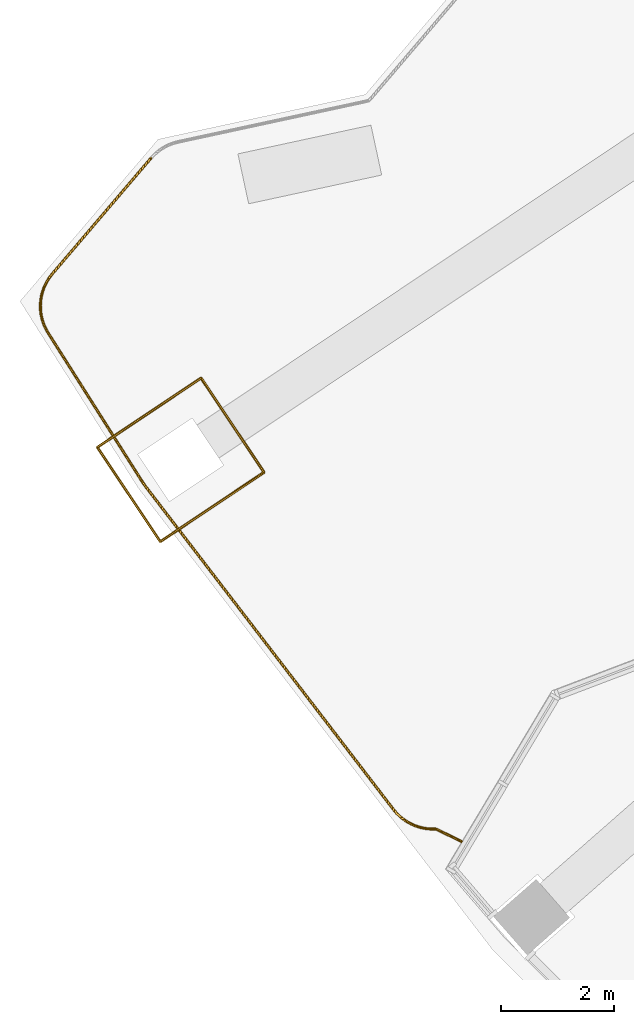
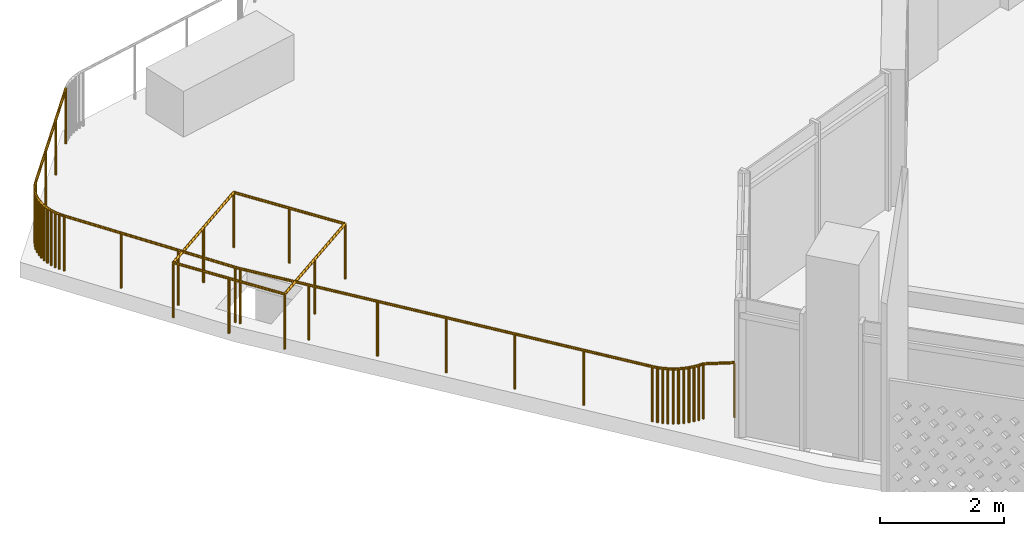
# One storey, part 24 of 29: 2 railings.
"""IFC4 building model written with IfcOpenShell, lengths in metres."""

import ifcopenshell
import ifcopenshell.guid

model = None  # the IFC model being written
_history = None  # IfcOwnerHistory: only IFC2X3 demands one
_inside = {}  # id of a spatial element -> (the spatial element, [elements in it])
_under = {}  # id of a project, library or spatial element -> (it, [spatial elements below it])
_declared = {}  # id of a project -> (the project, [libraries it declares])
_typed = {}  # id of a type object -> (the type object, [elements of that type])
_made_of = {}  # id of a material, layer set ... -> (it, [elements and type objects made of it])


def new_model(schema):
    """Start an empty IFC model of exactly this schema.

    Asked for "IFC4X3", IfcOpenShell would pick the latest addendum, in which some entities
    have other attributes; the version numbers below select the first issue.
    IFC2X3 requires an IfcOwnerHistory on every rooted entity: one is made here for all.
    """
    global model, _history
    if schema == "IFC4X3":
        model = ifcopenshell.file(schema_version=(4, 3, 0, 0))
    else:
        model = ifcopenshell.file(schema=schema)
    _inside.clear()
    _under.clear()
    _declared.clear()
    _typed.clear()
    _made_of.clear()
    _history = None
    if model.schema == "IFC2X3":
        org = make("IfcOrganization", Name="unknown")
        user = make(
            "IfcPersonAndOrganization",
            ThePerson=make("IfcPerson", FamilyName="unknown"),
            TheOrganization=org,
        )
        app = make(
            "IfcApplication",
            ApplicationDeveloper=org,
            Version="unknown",
            ApplicationFullName="unknown",
            ApplicationIdentifier="unknown",
        )
        _history = make(
            "IfcOwnerHistory",
            OwningUser=user,
            OwningApplication=app,
            ChangeAction="ADDED",
            CreationDate=0,
        )
    return model


def make(cls, **values):
    """One entity of the class cls with the attributes given. An attribute that is None is left unset."""
    return model.create_entity(
        cls, **{name: value for name, value in values.items() if value is not None}
    )


def rooted(cls, **values):
    """An entity with a GlobalId (a new one), such as an element, a storey or a relation."""
    return make(cls, GlobalId=ifcopenshell.guid.new(), OwnerHistory=_history, **values)


def si_unit(unit_type, name, prefix=None):
    """IfcSIUnit, for example si_unit("LENGTHUNIT", "METRE", prefix="MILLI")."""
    return make("IfcSIUnit", UnitType=unit_type, Prefix=prefix, Name=name)


def assignment(units):
    """IfcUnitAssignment: the units of a project."""
    return None if units is None else make("IfcUnitAssignment", Units=units)


def point(xyz):
    """IfcCartesianPoint."""
    return None if xyz is None else make("IfcCartesianPoint", Coordinates=xyz)


def direction(xyz):
    """IfcDirection."""
    return None if xyz is None else make("IfcDirection", DirectionRatios=xyz)


def frame(location, z_axis=None, x_axis=None):
    """IfcAxis2Placement3D, a coordinate frame: its origin and axes. An axis left out is left unset."""
    return make(
        "IfcAxis2Placement3D",
        Location=point(location),
        Axis=direction(z_axis),
        RefDirection=direction(x_axis),
    )


def frame_2d(location, x_axis=None):
    """IfcAxis2Placement2D, a coordinate frame in the plane: its origin and x axis."""
    return make(
        "IfcAxis2Placement2D", Location=point(location), RefDirection=direction(x_axis)
    )


def origin():
    """The frame at (0, 0, 0) with its axes left unset."""
    return frame((0.0, 0.0, 0.0))


def origin_2d():
    """The frame at (0, 0) in the plane with its x axis left unset."""
    return frame_2d((0.0, 0.0))


def place(relative_to, where):
    """IfcLocalPlacement: puts the frame where relative to a parent placement (None: the world)."""
    return make(
        "IfcLocalPlacement", PlacementRelTo=relative_to, RelativePlacement=where
    )


def context(
    kind, dimensions, precision=None, world=None, true_north=None, identifier=None
):
    """IfcGeometricRepresentationContext, for example the 3D "Model" context."""
    return make(
        "IfcGeometricRepresentationContext",
        ContextIdentifier=identifier,
        ContextType=kind,
        CoordinateSpaceDimension=dimensions,
        Precision=precision,
        WorldCoordinateSystem=world,
        TrueNorth=true_north,
    )


def subcontext(parent, identifier, kind, view, scale=None):
    """IfcGeometricRepresentationSubContext, for example "Body" below "Model"."""
    return make(
        "IfcGeometricRepresentationSubContext",
        ContextIdentifier=identifier,
        ContextType=kind,
        ParentContext=parent,
        TargetScale=scale,
        TargetView=view,
    )


def project(units=None, contexts=None):
    """IfcProject with its units and contexts."""
    return rooted(
        "IfcProject",
        Name="project",
        RepresentationContexts=contexts,
        UnitsInContext=assignment(units),
    )


def spatial(cls, under=None, at=None, **own):
    """A site, building, storey or space (cls), placed at a placement, below another one or the project."""
    s = rooted(cls, ObjectPlacement=at, **own)
    if under is not None:
        _under.setdefault(under.id(), (under, []))[1].append(s)
    return s


def profile(cls, at=None, kind="AREA", **sizes):
    """A parametric profile (cls). Its sizes go by their IFC names, for example OverallWidth=200.0."""
    return make(cls, ProfileType=kind, Position=at, **sizes)


def circle(**sizes):
    """IfcCircleProfileDef."""
    return profile("IfcCircleProfileDef", **sizes)


def extrude(swept, where, along, depth):
    """IfcExtrudedAreaSolid: the profile swept, set in the frame where, extruded along a direction by depth."""
    return make(
        "IfcExtrudedAreaSolid",
        SweptArea=swept,
        Position=where,
        ExtrudedDirection=direction(along),
        Depth=depth,
    )


def shape(context_of_items, identifier, shape_type, items):
    """IfcShapeRepresentation: the items that make up one representation, for example the "Body"."""
    return make(
        "IfcShapeRepresentation",
        ContextOfItems=context_of_items,
        RepresentationIdentifier=identifier,
        RepresentationType=shape_type,
        Items=items,
    )


def material(Name=None, Category=None):
    """IfcMaterial."""
    return make("IfcMaterial", Name=Name, Category=Category)


def made_of(thing, what):
    """Note that an element or type object is made of a material, layer set ...; save() writes the relation."""
    if what is not None:
        _made_of.setdefault(what.id(), (what, []))[1].append(thing)
    return thing


def type_object(cls, material=None, **own):
    """A type object (cls), such as IfcWallType, which elements share."""
    return made_of(rooted(cls, **own), material)


def element(
    cls,
    number,
    at=None,
    inside=None,
    cuts=None,
    type_object=None,
    material=None,
    context=None,
    identifier="Body",
    shape_type=None,
    held_by="IfcProductDefinitionShape",
    body=None,
    shapes=None,
    **own,
):
    """One element of the class cls, such as IfcWall. Its Tag is "e" and its number.

    at: its placement. inside: the storey or other place that contains it. cuts: it is an
    opening in that element (IfcRelVoidsElement). A single representation is given by context,
    identifier, shape_type and body (its items); several are given by shapes. held_by: the class
    of the entity that holds the representations. save() writes the other relations.
    """
    e = rooted(cls, Tag="e%d" % number, ObjectPlacement=at, **own)
    if body is not None:
        shapes = [shape(context, identifier, shape_type, body)]
    if shapes is not None:
        e.Representation = make(held_by, Representations=shapes)
    if inside is not None:
        _inside.setdefault(inside.id(), (inside, []))[1].append(e)
    if cuts is not None:
        rooted(
            "IfcRelVoidsElement", RelatingBuildingElement=cuts, RelatedOpeningElement=e
        )
    if type_object is not None:
        _typed.setdefault(type_object.id(), (type_object, []))[1].append(e)
    return made_of(e, material)


def aggregate(whole, parts):
    """IfcRelAggregates: a whole, such as a stair, and the parts it consists of."""
    return rooted("IfcRelAggregates", RelatingObject=whole, RelatedObjects=parts)


def save(model, path):
    """Write the relations noted so far, then the file.

    IfcRelAggregates (storeys below a building ...), IfcRelContainedInSpatialStructure (elements
    in a storey), IfcRelDefinesByType, IfcRelAssociatesMaterial and IfcRelDeclares: one each for
    every whole, place, type object, material and project.
    """
    for whole, parts in _under.values():
        aggregate(whole, parts)
    for where, things in _inside.values():
        rooted(
            "IfcRelContainedInSpatialStructure",
            RelatedElements=things,
            RelatingStructure=where,
        )
    for kind, things in _typed.values():
        rooted("IfcRelDefinesByType", RelatedObjects=things, RelatingType=kind)
    for what, things in _made_of.values():
        rooted("IfcRelAssociatesMaterial", RelatedObjects=things, RelatingMaterial=what)
    for by, libraries in _declared.values():
        rooted("IfcRelDeclares", RelatingContext=by, RelatedDefinitions=libraries)
    model.write(path)


model = new_model("IFC4")

# Units and contexts
model_context = context("Model", 3, precision=1e-05, world=origin(), true_north=direction((0.0, 1.0)))
body_context = subcontext(model_context, "Body", "Model", "MODEL_VIEW")
ifc_project = project(units=[si_unit("LENGTHUNIT", "METRE"), si_unit("AREAUNIT", "SQUARE_METRE"), si_unit("VOLUMEUNIT", "CUBIC_METRE"), si_unit("PLANEANGLEUNIT", "RADIAN"), si_unit("MASSUNIT", "GRAM", prefix="KILO")], contexts=[model_context])

# Site, building, storey
site_placement = place(None, origin())
site = spatial("IfcSite", under=ifc_project, at=site_placement, CompositionType="ELEMENT")
building_placement = place(site_placement, origin())
building = spatial("IfcBuilding", under=site, at=building_placement, Name="Qamariyya Broadcast Tower", CompositionType="ELEMENT")
storey_placement = place(building_placement, frame((0.0, 0.0, 258.10009765625)))
storey = spatial("IfcBuildingStorey", under=building, at=storey_placement, Name="L62", CompositionType="ELEMENT", Elevation=258.10009765625)

# Railings
ifc_material = material(Name="Stainless steel 316 with toughened glass infill", Category="steel")
railing_type = type_object("IfcRailingType", Name="Terrace guard, glass and stainless steel", PredefinedType="GUARDRAIL", material=ifc_material)
railing_1_placement = place(storey_placement, frame((-65.006103515625, -44.638671875, 0.0)))
element("IfcRailing", 1, at=railing_1_placement, inside=storey, type_object=railing_type, Name="e-r-L62-t4-pyl1", PredefinedType="GUARDRAIL", context=body_context, shape_type="SweptSolid", body=[
    extrude(circle(Radius=0.02392578125, at=origin_2d()), frame((0.0, 0.0, 1.076171875), z_axis=(-0.555516823968, 0.831505296609, 0.0), x_axis=(-0.831505296609, -0.555516823968, 0.0)), (0.0, 0.0, 1.0), 2.0),
    extrude(circle(Radius=0.02392578125, at=origin_2d()), frame((-1.111083984375, 1.6630859375, 1.076171875), z_axis=(0.831503573422, 0.55551940325, 0.0), x_axis=(-0.55551940325, 0.831503573422, 0.0)), (0.0, 0.0, 1.0), 2.199951171875),
    extrude(circle(Radius=0.02392578125, at=origin_2d()), frame((0.71826171875, 2.88525390625, 1.076171875), z_axis=(0.55557321199, -0.831467621811, 0.0), x_axis=(0.831467621811, 0.55557321199, 0.0)), (0.0, 0.0, 1.0), 2.0),
    extrude(circle(Radius=0.02392578125, at=origin_2d()), frame((1.829345703125, 1.222412109375, 1.076171875), z_axis=(-0.831452313852, -0.555596121107, 0.0), x_axis=(0.555596121107, -0.831452313852, 0.0)), (0.0, 0.0, 1.0), 2.2001953125),
    extrude(circle(Radius=0.02099609375, at=origin_2d()), origin(), (0.0, 0.0, 1.0), 1.052001953125),
    extrude(circle(Radius=0.02099609375, at=origin_2d()), frame((-0.5556640625, 0.83154296875, 0.0)), (0.0, 0.0, 1.0), 1.052001953125),
    extrude(circle(Radius=0.02099609375, at=origin_2d()), frame((-1.111083984375, 1.6630859375, 0.0)), (0.0, 0.0, 1.0), 1.052001953125),
    extrude(circle(Radius=0.02099609375, at=origin_2d()), frame((-0.1962890625, 2.274169921875, 0.0)), (0.0, 0.0, 1.0), 1.052001953125),
    extrude(circle(Radius=0.02099609375, at=origin_2d()), frame((0.71826171875, 2.88525390625, 0.0)), (0.0, 0.0, 1.0), 1.052001953125),
    extrude(circle(Radius=0.02099609375, at=origin_2d()), frame((1.27392578125, 2.0537109375, 0.0)), (0.0, 0.0, 1.0), 1.052001953125),
    extrude(circle(Radius=0.02099609375, at=origin_2d()), frame((1.829345703125, 1.222412109375, 0.0)), (0.0, 0.0, 1.0), 1.052001953125),
    extrude(circle(Radius=0.02099609375, at=origin_2d()), frame((0.91455078125, 0.611328125, 0.0)), (0.0, 0.0, 1.0), 1.052001953125),
])
railing_2_placement = place(storey_placement, frame((-59.687255859375, -49.931640625, 0.0)))
element("IfcRailing", 2, at=railing_2_placement, inside=storey, type_object=railing_type, Name="e-r-L62-t4-1", PredefinedType="GUARDRAIL", context=body_context, shape_type="SweptSolid", body=[
    extrude(circle(Radius=0.02392578125, at=origin_2d()), frame((0.0, 0.0, 1.076171875), z_axis=(-0.898333780452, 0.439313576957, 0.0), x_axis=(-0.439313576957, -0.898333780452, 0.0)), (0.0, 0.0, 1.0), 0.508056640625),
    extrude(circle(Radius=0.02392578125, at=origin_2d()), frame((-0.456298828125, 0.22314453125, 1.076171875), z_axis=(-0.999935071786, -0.011395271473, 0.0), x_axis=(0.011395271473, -0.999935071786, 0.0)), (0.0, 0.0, 1.0), 0.085693359375),
    extrude(circle(Radius=0.02392578125, at=origin_2d()), frame((-0.5419921875, 0.22216796875, 1.076171875), z_axis=(-0.996078232223, 0.088476863034, 0.0), x_axis=(-0.088476863034, -0.996078232223, 0.0)), (0.0, 0.0, 1.0), 0.08544921875),
    extrude(circle(Radius=0.02392578125, at=origin_2d()), frame((-0.627197265625, 0.229736328125, 1.076171875), z_axis=(-0.98271057852, 0.185148369866, 0.0), x_axis=(-0.185148369866, -0.98271057852, 0.0)), (0.0, 0.0, 1.0), 0.085693359375),
    extrude(circle(Radius=0.02392578125, at=origin_2d()), frame((-0.71142578125, 0.24560546875, 1.076171875), z_axis=(-0.960444339818, 0.278472027521, 0.0), x_axis=(-0.278472027521, -0.960444339818, 0.0)), (0.0, 0.0, 1.0), 0.0859375),
    extrude(circle(Radius=0.02392578125, at=origin_2d()), frame((-0.7939453125, 0.26953125, 1.076171875), z_axis=(-0.928869176823, 0.370407953948, 0.0), x_axis=(-0.370407953948, -0.928869176823, 0.0)), (0.0, 0.0, 1.0), 0.085693359375),
    extrude(circle(Radius=0.02392578125, at=origin_2d()), frame((-0.87353515625, 0.30126953125, 1.076171875), z_axis=(-0.886889742414, 0.461981151997, 0.0), x_axis=(-0.461981151997, -0.886889742414, 0.0)), (0.0, 0.0, 1.0), 0.085693359375),
    extrude(circle(Radius=0.02392578125, at=origin_2d()), frame((-0.949462890625, 0.3408203125, 1.076171875), z_axis=(-0.839417439547, 0.543487223571, 0.0), x_axis=(-0.543487223571, -0.839417439547, 0.0)), (0.0, 0.0, 1.0), 0.085693359375),
    extrude(circle(Radius=0.02392578125, at=origin_2d()), frame((-1.021484375, 0.387451171875, 1.076171875), z_axis=(-0.783641178408, 0.621213734156, 0.0), x_axis=(-0.621213734156, -0.783641178408, 0.0)), (0.0, 0.0, 1.0), 0.085693359375),
    extrude(circle(Radius=0.02392578125, at=origin_2d()), frame((-1.088623046875, 0.440673828125, 1.076171875), z_axis=(-0.716994918814, 0.697078393292, 0.0), x_axis=(-0.697078393292, -0.716994918814, 0.0)), (0.0, 0.0, 1.0), 0.085693359375),
    extrude(circle(Radius=0.02392578125, at=origin_2d()), frame((-1.150146484375, 0.50048828125, 1.076171875), z_axis=(-0.645323903369, 0.763909065099, 0.0), x_axis=(-0.763909065099, -0.645323903369, 0.0)), (0.0, 0.0, 1.0), 0.088623046875),
    extrude(circle(Radius=0.02392578125, at=origin_2d()), frame((-1.207275390625, 0.568115234375, 1.076171875), z_axis=(-0.608782995277, 0.793336791446, 0.0), x_axis=(-0.793336791446, -0.608782995277, 0.0)), (0.0, 0.0, 1.0), 7.1884765625),
    extrude(circle(Radius=0.02392578125, at=origin_2d()), frame((-5.58349609375, 6.27099609375, 1.076171875), z_axis=(-0.572496554546, 0.819907125858, 0.0), x_axis=(-0.819907125858, -0.572496554546, 0.0)), (0.0, 0.0, 1.0), 0.0849609375),
    extrude(circle(Radius=0.02392578125, at=origin_2d()), frame((-5.632080078125, 6.340576171875, 1.076171875), z_axis=(-0.534733116042, 0.845021002466, 0.0), x_axis=(-0.845021002466, -0.534733116042, 0.0)), (0.0, 0.0, 1.0), 3.1142578125),
    extrude(circle(Radius=0.02392578125, at=origin_2d()), frame((-7.29736328125, 8.97216796875, 1.076171875), z_axis=(-0.493773738846, 0.869590417856, 0.0), x_axis=(-0.869590417856, -0.493773738846, 0.0)), (0.0, 0.0, 1.0), 0.089111328125),
    extrude(circle(Radius=0.02392578125, at=origin_2d()), frame((-7.34130859375, 9.049560546875, 1.076171875), z_axis=(-0.405875102932, 0.913928553455, 0.0), x_axis=(-0.913928553455, -0.405875102932, 0.0)), (0.0, 0.0, 1.0), 0.0859375),
    extrude(circle(Radius=0.02392578125, at=origin_2d()), frame((-7.376220703125, 9.128173828125, 1.076171875), z_axis=(-0.312813212384, 0.949814663057, 0.0), x_axis=(-0.949814663057, -0.312813212384, 0.0)), (0.0, 0.0, 1.0), 0.0859375),
    extrude(circle(Radius=0.02392578125, at=origin_2d()), frame((-7.403076171875, 9.209716796875, 1.076171875), z_axis=(-0.221743976432, 0.975104922004, 0.0), x_axis=(-0.975104922004, -0.221743976432, 0.0)), (0.0, 0.0, 1.0), 0.0859375),
    extrude(circle(Radius=0.02392578125, at=origin_2d()), frame((-7.422119140625, 9.29345703125, 1.076171875), z_axis=(-0.124732508161, 0.992190405823, 0.0), x_axis=(-0.992190405823, -0.124732508161, 0.0)), (0.0, 0.0, 1.0), 0.086181640625),
    extrude(circle(Radius=0.02392578125, at=origin_2d()), frame((-7.432861328125, 9.37890625, 1.076171875), z_axis=(-0.025559828545, 0.999673294214, 0.0), x_axis=(-0.999673294214, -0.025559828545, 0.0)), (0.0, 0.0, 1.0), 0.0859375),
    extrude(circle(Radius=0.02392578125, at=origin_2d()), frame((-7.43505859375, 9.46484375, 1.076171875), z_axis=(0.071045092933, 0.997473104785, 0.0), x_axis=(-0.997473104785, 0.071045092933, 0.0)), (0.0, 0.0, 1.0), 0.0859375),
    extrude(circle(Radius=0.02392578125, at=origin_2d()), frame((-7.428955078125, 9.550537109375, 1.076171875), z_axis=(0.167623106557, 0.985851152126, 0.0), x_axis=(-0.985851152126, 0.167623106557, 0.0)), (0.0, 0.0, 1.0), 0.0859375),
    extrude(circle(Radius=0.02392578125, at=origin_2d()), frame((-7.41455078125, 9.63525390625, 1.076171875), z_axis=(0.263837484431, 0.964567147382, 0.0), x_axis=(-0.964567147382, 0.263837484431, 0.0)), (0.0, 0.0, 1.0), 0.0859375),
    extrude(circle(Radius=0.02392578125, at=origin_2d()), frame((-7.391845703125, 9.71826171875, 1.076171875), z_axis=(0.355168103624, 0.934802448739, 0.0), x_axis=(-0.934802448739, 0.355168103624, 0.0)), (0.0, 0.0, 1.0), 0.0859375),
    extrude(circle(Radius=0.02392578125, at=origin_2d()), frame((-7.361328125, 9.798583984375, 1.076171875), z_axis=(0.446076733246, 0.894994719569, 0.0), x_axis=(-0.894994719569, 0.446076733246, 0.0)), (0.0, 0.0, 1.0), 0.0859375),
    extrude(circle(Radius=0.02392578125, at=origin_2d()), frame((-7.322998046875, 9.87548828125, 1.076171875), z_axis=(0.531531060269, 0.847038801926, 0.0), x_axis=(-0.847038801926, 0.531531060269, 0.0)), (0.0, 0.0, 1.0), 0.0859375),
    extrude(circle(Radius=0.02392578125, at=origin_2d()), frame((-7.27734375, 9.9482421875, 1.076171875), z_axis=(0.610507860339, 0.792010197197, 0.0), x_axis=(-0.792010197197, 0.610507860339, 0.0)), (0.0, 0.0, 1.0), 0.0888671875),
    extrude(circle(Radius=0.02392578125, at=origin_2d()), frame((-7.22314453125, 10.0185546875, 1.076171875), z_axis=(0.648955927314, 0.760826001398, 0.0), x_axis=(-0.760826001398, 0.648955927314, 0.0)), (0.0, 0.0, 1.0), 2.675537109375),
    extrude(circle(Radius=0.02099609375, at=origin_2d()), origin(), (0.0, 0.0, 1.0), 1.052001953125),
    extrude(circle(Radius=0.02099609375, at=origin_2d()), frame((-0.456298828125, 0.22314453125, 0.0)), (0.0, 0.0, 1.0), 1.052001953125),
    extrude(circle(Radius=0.02099609375, at=origin_2d()), frame((-0.5419921875, 0.22216796875, 0.0)), (0.0, 0.0, 1.0), 1.052001953125),
    extrude(circle(Radius=0.02099609375, at=origin_2d()), frame((-0.627197265625, 0.229736328125, 0.0)), (0.0, 0.0, 1.0), 1.052001953125),
    extrude(circle(Radius=0.02099609375, at=origin_2d()), frame((-0.71142578125, 0.24560546875, 0.0)), (0.0, 0.0, 1.0), 1.052001953125),
    extrude(circle(Radius=0.02099609375, at=origin_2d()), frame((-0.7939453125, 0.26953125, 0.0)), (0.0, 0.0, 1.0), 1.052001953125),
    extrude(circle(Radius=0.02099609375, at=origin_2d()), frame((-0.87353515625, 0.30126953125, 0.0)), (0.0, 0.0, 1.0), 1.052001953125),
    extrude(circle(Radius=0.02099609375, at=origin_2d()), frame((-0.949462890625, 0.3408203125, 0.0)), (0.0, 0.0, 1.0), 1.052001953125),
    extrude(circle(Radius=0.02099609375, at=origin_2d()), frame((-1.021484375, 0.387451171875, 0.0)), (0.0, 0.0, 1.0), 1.052001953125),
    extrude(circle(Radius=0.02099609375, at=origin_2d()), frame((-1.088623046875, 0.440673828125, 0.0)), (0.0, 0.0, 1.0), 1.052001953125),
    extrude(circle(Radius=0.02099609375, at=origin_2d()), frame((-1.150146484375, 0.50048828125, 0.0)), (0.0, 0.0, 1.0), 1.052001953125),
    extrude(circle(Radius=0.02099609375, at=origin_2d()), frame((-1.207275390625, 0.568115234375, 0.0)), (0.0, 0.0, 1.0), 1.052001953125),
    extrude(circle(Radius=0.02099609375, at=origin_2d()), frame((-1.9365234375, 1.5185546875, 0.0)), (0.0, 0.0, 1.0), 1.052001953125),
    extrude(circle(Radius=0.02099609375, at=origin_2d()), frame((-2.666015625, 2.468994140625, 0.0)), (0.0, 0.0, 1.0), 1.052001953125),
    extrude(circle(Radius=0.02099609375, at=origin_2d()), frame((-3.3955078125, 3.41943359375, 0.0)), (0.0, 0.0, 1.0), 1.052001953125),
    extrude(circle(Radius=0.02099609375, at=origin_2d()), frame((-4.124755859375, 4.3701171875, 0.0)), (0.0, 0.0, 1.0), 1.052001953125),
    extrude(circle(Radius=0.02099609375, at=origin_2d()), frame((-4.85400390625, 5.320556640625, 0.0)), (0.0, 0.0, 1.0), 1.052001953125),
    extrude(circle(Radius=0.02099609375, at=origin_2d()), frame((-5.58349609375, 6.27099609375, 0.0)), (0.0, 0.0, 1.0), 1.052001953125),
    extrude(circle(Radius=0.02099609375, at=origin_2d()), frame((-5.632080078125, 6.340576171875, 0.0)), (0.0, 0.0, 1.0), 1.052001953125),
    extrude(circle(Radius=0.02099609375, at=origin_2d()), frame((-6.187255859375, 7.2177734375, 0.0)), (0.0, 0.0, 1.0), 1.052001953125),
    extrude(circle(Radius=0.02099609375, at=origin_2d()), frame((-6.7421875, 8.094970703125, 0.0)), (0.0, 0.0, 1.0), 1.052001953125),
    extrude(circle(Radius=0.02099609375, at=origin_2d()), frame((-7.29736328125, 8.97216796875, 0.0)), (0.0, 0.0, 1.0), 1.052001953125),
    extrude(circle(Radius=0.02099609375, at=origin_2d()), frame((-7.34130859375, 9.049560546875, 0.0)), (0.0, 0.0, 1.0), 1.052001953125),
    extrude(circle(Radius=0.02099609375, at=origin_2d()), frame((-7.376220703125, 9.128173828125, 0.0)), (0.0, 0.0, 1.0), 1.052001953125),
    extrude(circle(Radius=0.02099609375, at=origin_2d()), frame((-7.403076171875, 9.209716796875, 0.0)), (0.0, 0.0, 1.0), 1.052001953125),
    extrude(circle(Radius=0.02099609375, at=origin_2d()), frame((-7.422119140625, 9.29345703125, 0.0)), (0.0, 0.0, 1.0), 1.052001953125),
    extrude(circle(Radius=0.02099609375, at=origin_2d()), frame((-7.432861328125, 9.37890625, 0.0)), (0.0, 0.0, 1.0), 1.052001953125),
    extrude(circle(Radius=0.02099609375, at=origin_2d()), frame((-7.43505859375, 9.46484375, 0.0)), (0.0, 0.0, 1.0), 1.052001953125),
    extrude(circle(Radius=0.02099609375, at=origin_2d()), frame((-7.428955078125, 9.550537109375, 0.0)), (0.0, 0.0, 1.0), 1.052001953125),
    extrude(circle(Radius=0.02099609375, at=origin_2d()), frame((-7.41455078125, 9.63525390625, 0.0)), (0.0, 0.0, 1.0), 1.052001953125),
    extrude(circle(Radius=0.02099609375, at=origin_2d()), frame((-7.391845703125, 9.71826171875, 0.0)), (0.0, 0.0, 1.0), 1.052001953125),
    extrude(circle(Radius=0.02099609375, at=origin_2d()), frame((-7.361328125, 9.798583984375, 0.0)), (0.0, 0.0, 1.0), 1.052001953125),
    extrude(circle(Radius=0.02099609375, at=origin_2d()), frame((-7.322998046875, 9.87548828125, 0.0)), (0.0, 0.0, 1.0), 1.052001953125),
    extrude(circle(Radius=0.02099609375, at=origin_2d()), frame((-7.27734375, 9.9482421875, 0.0)), (0.0, 0.0, 1.0), 1.052001953125),
    extrude(circle(Radius=0.02099609375, at=origin_2d()), frame((-7.22314453125, 10.0185546875, 0.0)), (0.0, 0.0, 1.0), 1.052001953125),
    extrude(circle(Radius=0.02099609375, at=origin_2d()), frame((-6.644287109375, 10.697021484375, 0.0)), (0.0, 0.0, 1.0), 1.052001953125),
    extrude(circle(Radius=0.02099609375, at=origin_2d()), frame((-6.065673828125, 11.375732421875, 0.0)), (0.0, 0.0, 1.0), 1.052001953125),
    extrude(circle(Radius=0.02099609375, at=origin_2d()), frame((-5.48681640625, 12.05419921875, 0.0)), (0.0, 0.0, 1.0), 1.052001953125),
])

save(model, "model.ifc")
